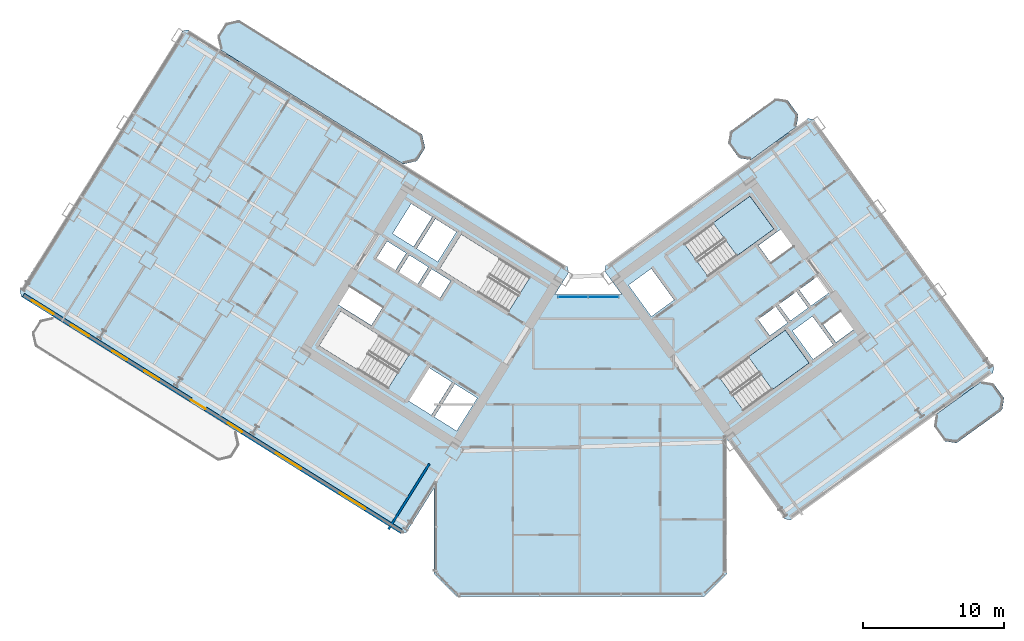
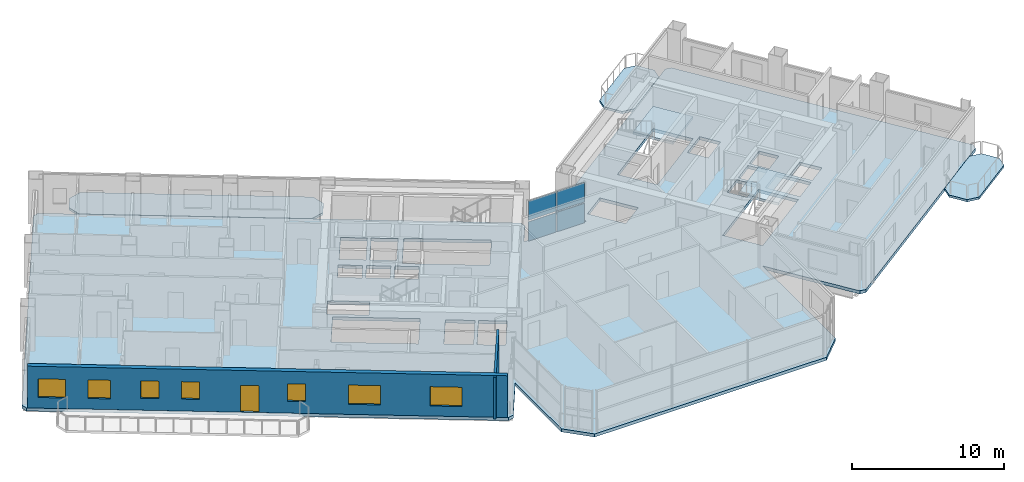
# One storey, part 14 of 28: 7 windows, 6 slabs, 4 plates, 2 walls, 1 door, 8 openings, 3 elements without a shape of their own.
"""IFC4 building model written with IfcOpenShell, lengths in metres."""

from ifc_helpers import new_model, si_unit, direction, frame, frame_2d, origin, origin_2d, place, context, subcontext, project, spatial, polyline, rectangle, outline, extrude, source, transform, mapped, material, layer, layer_set, type_object, element, fill, aggregate, save


model = new_model("IFC4")

# Units and contexts
model_context = context("Model", 3, precision=1e-05, world=origin(), true_north=direction((0.0, 1.0)))
body_context = subcontext(model_context, "Body", "Model", "MODEL_VIEW")
ifc_project = project(units=[si_unit("LENGTHUNIT", "METRE"), si_unit("AREAUNIT", "SQUARE_METRE"), si_unit("VOLUMEUNIT", "CUBIC_METRE"), si_unit("PLANEANGLEUNIT", "RADIAN"), si_unit("MASSUNIT", "GRAM", prefix="KILO")], contexts=[model_context])

# Site, building, storey
site_placement = place(None, origin())
site = spatial("IfcSite", under=ifc_project, at=site_placement, CompositionType="ELEMENT")
building_placement = place(site_placement, origin())
building = spatial("IfcBuilding", under=site, at=building_placement, Name="Tlacorven Tower", CompositionType="ELEMENT")
storey_placement = place(building_placement, frame((0.0, 0.0, 49.199951171875)))
storey = spatial("IfcBuildingStorey", under=building, at=storey_placement, Name="L12", CompositionType="ELEMENT", Elevation=49.199951171875)

# Slabs
ifc_material_1 = material(Name="Precast concrete C45/55", Category="concrete")
ifc_layer_1 = layer(ifc_material_1, 0.179931640625)
ifc_layer_set_1 = layer_set([ifc_layer_1], Name="Precast concrete C45/55")
slab_type_1 = type_object("IfcSlabType", Name="SL-BAL-180", PredefinedType="USERDEFINED", material=ifc_layer_set_1)
slab_1_placement = place(storey_placement, frame((0.0, 0.0, -0.179931640625)))
element("IfcSlab", 1, at=slab_1_placement, inside=storey, type_object=slab_type_1, Name="L12 West Wing Balcony Ribbon IN", ObjectType="BALCONY SLAB", PredefinedType="USERDEFINED", context=body_context, shape_type="SweptSolid", body=[
    extrude(outline(polyline([(30.756591796875, 34.57763671875), (17.781494140625, 42.685546875), (16.81689453125, 42.462890625), (16.236572265625, 41.5341796875), (16.459228515625, 40.569580078125), (29.434326171875, 32.4619140625), (30.39892578125, 32.6845703125), (30.979248046875, 33.613037109375), (30.756591796875, 34.57763671875)])), origin(), (0.0, 0.0, 1.0), 0.179931640625),
])
slab_2_placement = place(storey_placement, frame((0.0, 0.0, -0.179931640625)))
element("IfcSlab", 2, at=slab_2_placement, inside=storey, type_object=slab_type_1, Name="L12 East Wing Balcony Ribbon OUT", ObjectType="BALCONY SLAB", PredefinedType="USERDEFINED", context=body_context, shape_type="SweptSolid", body=[
    extrude(outline(polyline([(68.669921875, 12.678955078125), (71.906005859375, 15.0302734375), (72.03857421875, 15.8681640625), (71.27734375, 16.916015625), (70.439453125, 17.048583984375), (67.203369140625, 14.697509765625), (67.070556640625, 13.859375), (67.831787109375, 12.811767578125), (68.669921875, 12.678955078125)])), origin(), (0.0, 0.0, 1.0), 0.179931640625),
])
slab_3_placement = place(storey_placement, frame((0.0, 0.0, -0.179931640625)))
element("IfcSlab", 3, at=slab_3_placement, inside=storey, type_object=slab_type_1, Name="L12 East Wing Balcony Ribbon IN", ObjectType="BALCONY SLAB", PredefinedType="USERDEFINED", context=body_context, shape_type="SweptSolid", body=[
    extrude(outline(polyline([(54.078125, 32.762939453125), (57.314208984375, 35.114013671875), (57.44677734375, 35.9521484375), (56.685791015625, 36.999755859375), (55.84765625, 37.132568359375), (52.611572265625, 34.78125), (52.478759765625, 33.943359375), (53.239990234375, 32.8955078125), (54.078125, 32.762939453125)])), origin(), (0.0, 0.0, 1.0), 0.179931640625),
])

# Stair, slab
ifc_material_2 = material(Name="Concrete C40/50", Category="concrete")
stair_type = type_object("IfcStairType", Name="ST-CORE-DLG", PredefinedType="HALF_TURN_STAIR", material=ifc_material_2)
stair_1_placement = place(storey_placement, origin())
stair_1 = element("IfcStair", 4, at=stair_1_placement, inside=storey, type_object=stair_type, Name="L12 Protected Exit Stair East 1", PredefinedType="HALF_TURN_STAIR")
ifc_layer_2 = layer(ifc_material_2, 0.199951171875)
ifc_layer_set_2 = layer_set([ifc_layer_2], Name="Concrete C40/50")
slab_type_2 = type_object("IfcSlabType", Name="SL-LND-200", PredefinedType="LANDING", material=ifc_layer_set_2)
slab_4_placement = place(storey_placement, frame((0.0, 0.0, 1.60009765625)))
slab_4 = element("IfcSlab", 5, at=slab_4_placement, type_object=slab_type_2, Name="ST-E1 landing 1", PredefinedType="LANDING", context=body_context, shape_type="SweptSolid", body=[
    extrude(outline(polyline([(53.09765625, 25.962890625), (55.7109375, 27.861572265625), (54.01806640625, 30.19140625), (51.40478515625, 28.29296875), (53.09765625, 25.962890625)])), origin(), (0.0, 0.0, 1.0), 0.199951171875),
])
aggregate(stair_1, [slab_4])

stair_2_placement = place(storey_placement, origin())
stair_2 = element("IfcStair", 6, at=stair_2_placement, inside=storey, type_object=stair_type, Name="L12 Protected Exit Stair East 2", PredefinedType="HALF_TURN_STAIR")
slab_5_placement = place(storey_placement, frame((0.0, 0.0, 1.60009765625)))
slab_5 = element("IfcSlab", 7, at=slab_5_placement, type_object=slab_type_2, Name="ST-E2 landing 1", PredefinedType="LANDING", context=body_context, shape_type="SweptSolid", body=[
    extrude(outline(polyline([(55.601806640625, 16.4599609375), (58.21484375, 18.3583984375), (56.52197265625, 20.6884765625), (53.908935546875, 18.789794921875), (55.601806640625, 16.4599609375)])), origin(), (0.0, 0.0, 1.0), 0.199951171875),
])
aggregate(stair_2, [slab_5])

# Slab
ifc_layer_3 = layer(ifc_material_2, 0.25)
ifc_layer_set_3 = layer_set([ifc_layer_3], Name="Concrete C40/50")
slab_type_3 = type_object("IfcSlabType", Name="SL-TWR-250", PredefinedType="FLOOR", material=ifc_layer_set_3)
slab_6_placement = place(storey_placement, frame((0.0, 0.0, -0.25)))
element("IfcSlab", 8, at=slab_6_placement, inside=storey, type_object=slab_type_3, Name="L12 Boomerang Tower Floor Slab", PredefinedType="FLOOR", context=body_context, shape_type="SweptSolid", body=[
    extrude(outline(polyline([(52.39990234375, 3.39990234375), (50.800048828125, 1.800048828125), (33.199951171875, 1.800048828125), (31.60009765625, 3.39990234375), (31.60009765625, 9.470703125), (29.652587890625, 6.35400390625), (29.2392578125, 6.258544921875), (2.339111328125, 23.067626953125), (2.24365234375, 23.481201171875), (13.75341796875, 41.900634765625), (14.1669921875, 41.99609375), (41.06689453125, 25.18701171875), (41.162353515625, 24.773681640625), (40.178955078125, 23.199951171875), (44.932373046875, 23.199951171875), (43.723876953125, 24.86328125), (43.790283203125, 25.2822265625), (58.1259765625, 35.69775390625), (58.545166015625, 35.63134765625), (71.311767578125, 18.0595703125), (71.245361328125, 17.640380859375), (56.90966796875, 7.224853515625), (56.49072265625, 7.291259765625), (52.39990234375, 12.921630859375), (52.39990234375, 3.39990234375)]), holes=[polyline([(29.865478515625, 18.979736328125), (24.9892578125, 22.02685546875), (23.463134765625, 19.58447265625), (28.33935546875, 16.537353515625), (29.865478515625, 18.979736328125)]), polyline([(38.4169921875, 24.4375), (33.540771484375, 27.484375), (32.0146484375, 25.0419921875), (36.890869140625, 21.9951171875), (38.4169921875, 24.4375)]), polyline([(51.05908203125, 24.481689453125), (55.7109375, 27.861572265625), (54.01806640625, 30.19140625), (49.3662109375, 26.811767578125), (51.05908203125, 24.481689453125)]), polyline([(53.56298828125, 14.978759765625), (58.21484375, 18.3583984375), (56.52197265625, 20.6884765625), (51.8701171875, 17.30859375), (53.56298828125, 14.978759765625)]), polyline([(34.682373046875, 15.87548828125), (33.088134765625, 16.871826171875), (31.62548828125, 14.531005859375), (33.2197265625, 13.534912109375), (34.682373046875, 15.87548828125)]), polyline([(32.884521484375, 16.9990234375), (31.2392578125, 18.02685546875), (29.77685546875, 15.686279296875), (31.421875, 14.658203125), (32.884521484375, 16.9990234375)]), polyline([(47.0234375, 21.648681640625), (48.6416015625, 22.82421875), (47.019287109375, 25.05712890625), (45.401123046875, 23.881591796875), (47.0234375, 21.648681640625)]), polyline([(33.197265625, 27.65185546875), (31.704833984375, 28.58447265625), (30.3798828125, 26.46435546875), (31.87255859375, 25.53173828125), (33.197265625, 27.65185546875)]), polyline([(31.484375, 28.722412109375), (29.99169921875, 29.655029296875), (28.6669921875, 27.534912109375), (30.159423828125, 26.602294921875), (31.484375, 28.722412109375)]), polyline([(32.794921875, 24.17724609375), (31.43798828125, 25.025146484375), (30.685546875, 23.82080078125), (32.042236328125, 22.972900390625), (32.794921875, 24.17724609375)]), polyline([(31.217529296875, 25.162841796875), (29.860595703125, 26.0107421875), (29.108154296875, 24.806396484375), (30.465087890625, 23.958740234375), (31.217529296875, 25.162841796875)]), polyline([(29.64013671875, 26.1484375), (28.283203125, 26.996337890625), (27.53076171875, 25.792236328125), (28.8876953125, 24.9443359375), (29.64013671875, 26.1484375)]), polyline([(55.427734375, 20.288818359375), (56.68994140625, 21.205810546875), (55.855224609375, 22.354736328125), (54.59326171875, 21.437744140625), (55.427734375, 20.288818359375)]), polyline([(56.884033203125, 21.346923828125), (58.146240234375, 22.263916015625), (57.3115234375, 23.41259765625), (56.04931640625, 22.495849609375), (56.884033203125, 21.346923828125)]), polyline([(58.34033203125, 22.405029296875), (59.602294921875, 23.322021484375), (58.767578125, 24.470703125), (57.505615234375, 23.5537109375), (58.34033203125, 22.405029296875)]), polyline([(58.498779296875, 18.614013671875), (59.922607421875, 19.648681640625), (58.453125, 21.671142578125), (57.029296875, 20.63671875), (58.498779296875, 18.614013671875)]), polyline([(27.96142578125, 22.2919921875), (25.603759765625, 23.76513671875), (24.80908203125, 22.4931640625), (27.16650390625, 21.02001953125), (27.96142578125, 22.2919921875)]), polyline([(55.490478515625, 25.4765625), (57.092529296875, 26.640380859375), (56.210693359375, 27.85400390625), (54.60888671875, 26.690185546875), (55.490478515625, 25.4765625)]), polyline([(60.12109375, 19.817626953125), (61.38330078125, 20.734619140625), (60.45458984375, 22.012939453125), (59.192626953125, 21.095947265625), (60.12109375, 19.817626953125)])]), origin(), (0.0, 0.0, 1.0), 0.25),
])

# Curtain wall, plates
ifc_material_3 = material(Name="Dark solar low-E double glazing in aluminium frame", Category="aluminium")
curtain_wall_type = type_object("IfcCurtainWallType", Name="CW-TWR-LOW", PredefinedType="USERDEFINED", material=ifc_material_3)
curtain_wall_placement = place(storey_placement, origin())
curtain_wall = element("IfcCurtainWall", 9, at=curtain_wall_placement, inside=storey, type_object=curtain_wall_type, Name="L12 CW-TWR-LOW Curtain Wall 68", ObjectType="UNITISED CURTAIN WALL", PredefinedType="USERDEFINED")
ifc_material_4 = material(Name="Dark solar double low-E glazing", Category="glass")
ifc_layer_4 = layer(ifc_material_4, 0.031982421875)
ifc_layer_set_4 = layer_set([ifc_layer_4], Name="Dark solar double low-E glazing")
plate_type = type_object("IfcPlateType", Name="CWP-02", PredefinedType="CURTAIN_PANEL", material=ifc_layer_set_4)
shared_shape_1 = source(origin(), body_context, "Body", "SweptSolid", [
    extrude(rectangle(XDim=2.110595703125, YDim=0.031982421875, at=origin_2d()), origin(), (0.0, 0.0, 1.0), 1.552978515625),
])
plate_1_placement = place(storey_placement, frame((41.47802734375, 23.0400390625, 0.06103515625), z_axis=(0.0, 0.0, 1.0), x_axis=(1.0, 0.0, 0.0)))
plate_1 = element("IfcPlate", 10, at=plate_1_placement, type_object=plate_type, Name="CW-L12-068 Glazing Panel 1", PredefinedType="CURTAIN_PANEL", context=body_context, shape_type="MappedRepresentation", body=[
    mapped(shared_shape_1, transform((0.0, 0.0, 0.0), scale=1.0)),
])
plate_2_placement = place(storey_placement, frame((41.47802734375, 23.0400390625, 1.73583984375), z_axis=(0.0, 0.0, 1.0), x_axis=(1.0, 0.0, 0.0)))
plate_2 = element("IfcPlate", 11, at=plate_2_placement, type_object=plate_type, Name="CW-L12-068 Glazing Panel 2", PredefinedType="CURTAIN_PANEL", context=body_context, shape_type="MappedRepresentation", body=[
    mapped(shared_shape_1, transform((0.0, 0.0, 0.0), scale=1.0)),
])
plate_3_placement = place(storey_placement, frame((43.640625, 23.0400390625, 0.06103515625), z_axis=(0.0, 0.0, 1.0), x_axis=(1.0, 0.0, 0.0)))
plate_3 = element("IfcPlate", 12, at=plate_3_placement, type_object=plate_type, Name="CW-L12-068 Glazing Panel 3", PredefinedType="CURTAIN_PANEL", context=body_context, shape_type="MappedRepresentation", body=[
    mapped(shared_shape_1, transform((0.0, 0.0, 0.0), scale=1.0)),
])
plate_4_placement = place(storey_placement, frame((43.640625, 23.0400390625, 1.73583984375), z_axis=(0.0, 0.0, 1.0), x_axis=(1.0, 0.0, 0.0)))
plate_4 = element("IfcPlate", 13, at=plate_4_placement, type_object=plate_type, Name="CW-L12-068 Glazing Panel 4", PredefinedType="CURTAIN_PANEL", context=body_context, shape_type="MappedRepresentation", body=[
    mapped(shared_shape_1, transform((0.0, 0.0, 0.0), scale=1.0)),
])
aggregate(curtain_wall, [plate_1, plate_2, plate_3, plate_4])

# Wall
ifc_material_5 = material(Name="Gypsum plasterboard acoustic partition", Category="gypsum")
ifc_layer_5 = layer(ifc_material_5, 0.159912109375)
ifc_layer_set_5 = layer_set([ifc_layer_5], Name="Gypsum plasterboard acoustic partition")
wall_type_1 = type_object("IfcWallType", Name="WL-DEM-160", PredefinedType="PARTITIONING", material=ifc_layer_set_5)
wall_1_placement = place(storey_placement, frame((31.282470703125, 11.2080078125, 0.0), z_axis=(0.0, 0.0, 1.0), x_axis=(-0.529938869374, -0.84803584519, 0.0)))
element("IfcWall", 14, at=wall_1_placement, inside=storey, type_object=wall_type_1, Name="L12 WC West Throat Wall", PredefinedType="PARTITIONING", context=body_context, shape_type="SweptSolid", body=[
    extrude(rectangle(XDim=5.47998046875, YDim=0.159912109375, at=frame_2d((2.739990234375, 0.0))), origin(), (0.0, 0.0, 1.0), 3.340087890625),
])

# Wall, openings, door, windows
ifc_layer_6 = layer(ifc_material_1, 0.320068359375)
ifc_layer_set_6 = layer_set([ifc_layer_6], Name="Precast concrete C45/55")
wall_type_2 = type_object("IfcWallType", Name="WL-EXT-320", PredefinedType="STANDARD", material=ifc_layer_set_6)
wall_2_placement = place(storey_placement, frame((29.267822265625, 6.429443359375, 0.0), z_axis=(0.0, 0.0, 1.0), x_axis=(-0.848049971435, 0.529916263149, 0.0)))
wall_2 = element("IfcWall", 15, at=wall_2_placement, inside=storey, type_object=wall_type_2, Name="L12 Masonry-Frame Recessed Facade Wall 1", PredefinedType="STANDARD", context=body_context, shape_type="SweptSolid", body=[
    extrude(rectangle(XDim=31.587646484375, YDim=0.320068359375, at=frame_2d((15.7939453125, 0.0))), origin(), (0.0, 0.0, 1.0), 3.35009765625),
])
opening_1_placement = place(wall_2_placement, frame((16.36181640625, 0.0, 0.0)))
opening_1 = element("IfcOpeningElement", 16, at=opening_1_placement, cuts=wall_2, Name="Opening D05", PredefinedType="OPENING", context=body_context, shape_type="SweptSolid", body=[
    extrude(rectangle(XDim=1.199951171875, YDim=2.14990234375, at=frame_2d((0.60009765625, 1.074951171875))), frame((0.0, 0.169921875, 0.0), z_axis=(0.0, -1.0, 0.0), x_axis=(1.0, 0.0, 0.0)), (0.0, 0.0, 1.0), 0.340087890625),
])
opening_2_placement = place(wall_2_placement, frame((2.98876953125, 0.0, 0.800048828125)))
opening_2 = element("IfcOpeningElement", 17, at=opening_2_placement, cuts=wall_2, Name="Opening WN04", PredefinedType="OPENING", context=body_context, shape_type="SweptSolid", body=[
    extrude(rectangle(XDim=2.10009765625, YDim=1.550048828125, at=frame_2d((1.050048828125, 0.77490234375))), frame((0.0, 0.169921875, 0.0), z_axis=(0.0, -1.0, 0.0), x_axis=(1.0, 0.0, 0.0)), (0.0, 0.0, 1.0), 0.340087890625),
])
opening_3_placement = place(wall_2_placement, frame((8.358642578125, 0.0, 0.800048828125)))
opening_3 = element("IfcOpeningElement", 18, at=opening_3_placement, cuts=wall_2, Name="Opening WN04", PredefinedType="OPENING", context=body_context, shape_type="SweptSolid", body=[
    extrude(rectangle(XDim=2.10009765625, YDim=1.550048828125, at=frame_2d((1.050048828125, 0.77490234375))), frame((0.0, 0.169921875, 0.0), z_axis=(0.0, -1.0, 0.0), x_axis=(1.0, 0.0, 0.0)), (0.0, 0.0, 1.0), 0.340087890625),
])
opening_4_placement = place(wall_2_placement, frame((13.28369140625, 0.0, 0.949951171875)))
opening_4 = element("IfcOpeningElement", 19, at=opening_4_placement, cuts=wall_2, Name="Opening WN03", PredefinedType="OPENING", context=body_context, shape_type="SweptSolid", body=[
    extrude(rectangle(XDim=1.199951171875, YDim=1.39990234375, at=frame_2d((0.60009765625, 0.699951171875))), frame((0.0, 0.169921875, 0.0), z_axis=(0.0, -1.0, 0.0), x_axis=(1.0, 0.0, 0.0)), (0.0, 0.0, 1.0), 0.340087890625),
])
opening_5_placement = place(wall_2_placement, frame((20.2587890625, 0.0, 0.949951171875)))
opening_5 = element("IfcOpeningElement", 20, at=opening_5_placement, cuts=wall_2, Name="Opening WN03", PredefinedType="OPENING", context=body_context, shape_type="SweptSolid", body=[
    extrude(rectangle(XDim=1.199951171875, YDim=1.39990234375, at=frame_2d((0.60009765625, 0.699951171875))), frame((0.0, 0.169921875, 0.0), z_axis=(0.0, -1.0, 0.0), x_axis=(1.0, 0.0, 0.0)), (0.0, 0.0, 1.0), 0.340087890625),
])
opening_6_placement = place(wall_2_placement, frame((22.9287109375, 0.0, 0.949951171875)))
opening_6 = element("IfcOpeningElement", 21, at=opening_6_placement, cuts=wall_2, Name="Opening WN03", PredefinedType="OPENING", context=body_context, shape_type="SweptSolid", body=[
    extrude(rectangle(XDim=1.199951171875, YDim=1.39990234375, at=frame_2d((0.60009765625, 0.699951171875))), frame((0.0, 0.169921875, 0.0), z_axis=(0.0, -1.0, 0.0), x_axis=(1.0, 0.0, 0.0)), (0.0, 0.0, 1.0), 0.340087890625),
])
opening_7_placement = place(wall_2_placement, frame((26.106201171875, 0.0, 0.85009765625)))
opening_7 = element("IfcOpeningElement", 22, at=opening_7_placement, cuts=wall_2, Name="Opening WN02", PredefinedType="OPENING", context=body_context, shape_type="SweptSolid", body=[
    extrude(rectangle(XDim=1.5, YDim=1.5, at=frame_2d((0.75, 0.75))), frame((0.0, 0.169921875, 0.0), z_axis=(0.0, -1.0, 0.0), x_axis=(1.0, 0.0, 0.0)), (0.0, 0.0, 1.0), 0.340087890625),
])
opening_8_placement = place(wall_2_placement, frame((29.068115234375, 0.0, 0.85009765625)))
opening_8 = element("IfcOpeningElement", 23, at=opening_8_placement, cuts=wall_2, Name="Opening WN01", PredefinedType="OPENING", context=body_context, shape_type="SweptSolid", body=[
    extrude(rectangle(XDim=1.800048828125, YDim=1.5, at=frame_2d((0.89990234375, 0.75))), frame((0.0, 0.169921875, 0.0), z_axis=(0.0, -1.0, 0.0), x_axis=(1.0, 0.0, 0.0)), (0.0, 0.0, 1.0), 0.340087890625),
])
ifc_material_6 = material(Name="Powder-coated aluminium and timber door", Category="wood")
door_type = type_object("IfcDoorType", Name="DR-EXT-BALC-1200", OperationType="NOTDEFINED", PredefinedType="DOOR", material=ifc_material_6)
shared_shape_2 = source(origin(), body_context, "Body", "SweptSolid", [
    extrude(rectangle(XDim=1.199951171875, YDim=2.14990234375, at=frame_2d((0.60009765625, 1.074951171875))), frame((0.0, 0.02490234375, 0.0), z_axis=(0.0, -1.0, 0.0), x_axis=(1.0, 0.0, 0.0)), (0.0, 0.0, 1.0), 0.050048828125),
])
door_placement = place(opening_1_placement, origin())
door = element("IfcDoor", 24, at=door_placement, inside=storey, type_object=door_type, Name="L12 Outdoor Access Door BAL-L12-W-OUT", OperationType="SINGLE_SWING_LEFT", OverallHeight=2.14990234375, OverallWidth=1.199951171875, PredefinedType="DOOR", context=body_context, shape_type="MappedRepresentation", body=[
    mapped(shared_shape_2, transform((0.0, 0.0, 0.0), scale=1.0)),
])
fill(opening_1, door)
ifc_material_7 = material(Name="Dark solar low-E double glazing in anodised aluminium frame", Category="aluminium")
window_type_1 = type_object("IfcWindowType", Name="WN-APT-2100X1750", PartitioningType="SINGLE_PANEL", PredefinedType="WINDOW", material=ifc_material_7)
shared_shape_3 = source(origin(), body_context, "Body", "SweptSolid", [
    extrude(rectangle(XDim=2.10009765625, YDim=1.550048828125, at=frame_2d((1.050048828125, 0.77490234375))), frame((0.0, 0.030029296875, 0.0), z_axis=(0.0, -1.0, 0.0), x_axis=(1.0, 0.0, 0.0)), (0.0, 0.0, 1.0), 0.06005859375),
])
window_1_placement = place(opening_2_placement, origin())
window_1 = element("IfcWindow", 25, at=window_1_placement, inside=storey, type_object=window_type_1, Name="L12 Recessed Masonry-Frame Window L12-01.1", OverallHeight=1.550048828125, OverallWidth=2.10009765625, PartitioningType="SINGLE_PANEL", PredefinedType="WINDOW", context=body_context, shape_type="MappedRepresentation", body=[
    mapped(shared_shape_3, transform((0.0, 0.0, 0.0), scale=1.0)),
])
fill(opening_2, window_1)
window_2_placement = place(opening_3_placement, origin())
window_2 = element("IfcWindow", 26, at=window_2_placement, inside=storey, type_object=window_type_1, Name="L12 Recessed Masonry-Frame Window L12-01.2", OverallHeight=1.550048828125, OverallWidth=2.10009765625, PartitioningType="SINGLE_PANEL", PredefinedType="WINDOW", context=body_context, shape_type="MappedRepresentation", body=[
    mapped(shared_shape_3, transform((0.0, 0.0, 0.0), scale=1.0)),
])
fill(opening_3, window_2)
window_type_2 = type_object("IfcWindowType", Name="WN-APT-1200X1500", PartitioningType="SINGLE_PANEL", PredefinedType="WINDOW", material=ifc_material_7)
shared_shape_4 = source(origin(), body_context, "Body", "SweptSolid", [
    extrude(rectangle(XDim=1.199951171875, YDim=1.39990234375, at=frame_2d((0.60009765625, 0.699951171875))), frame((0.0, 0.030029296875, 0.0), z_axis=(0.0, -1.0, 0.0), x_axis=(1.0, 0.0, 0.0)), (0.0, 0.0, 1.0), 0.06005859375),
])
window_3_placement = place(opening_4_placement, origin())
window_3 = element("IfcWindow", 27, at=window_3_placement, inside=storey, type_object=window_type_2, Name="L12 Recessed Masonry-Frame Window L12-01.3", OverallHeight=1.39990234375, OverallWidth=1.199951171875, PartitioningType="SINGLE_PANEL", PredefinedType="WINDOW", context=body_context, shape_type="MappedRepresentation", body=[
    mapped(shared_shape_4, transform((0.0, 0.0, 0.0), scale=1.0)),
])
fill(opening_4, window_3)
window_4_placement = place(opening_5_placement, origin())
window_4 = element("IfcWindow", 28, at=window_4_placement, inside=storey, type_object=window_type_2, Name="L12 Recessed Masonry-Frame Window L12-01.4", OverallHeight=1.39990234375, OverallWidth=1.199951171875, PartitioningType="SINGLE_PANEL", PredefinedType="WINDOW", context=body_context, shape_type="MappedRepresentation", body=[
    mapped(shared_shape_4, transform((0.0, 0.0, 0.0), scale=1.0)),
])
fill(opening_5, window_4)
window_5_placement = place(opening_6_placement, origin())
window_5 = element("IfcWindow", 29, at=window_5_placement, inside=storey, type_object=window_type_2, Name="L12 Recessed Masonry-Frame Window L12-01.5", OverallHeight=1.39990234375, OverallWidth=1.199951171875, PartitioningType="SINGLE_PANEL", PredefinedType="WINDOW", context=body_context, shape_type="MappedRepresentation", body=[
    mapped(shared_shape_4, transform((0.0, 0.0, 0.0), scale=1.0)),
])
fill(opening_6, window_5)
window_type_3 = type_object("IfcWindowType", Name="WN-APT-1800X1650", PartitioningType="SINGLE_PANEL", PredefinedType="WINDOW", material=ifc_material_7)
shared_shape_5 = source(origin(), body_context, "Body", "SweptSolid", [
    extrude(rectangle(XDim=1.800048828125, YDim=1.5, at=frame_2d((0.89990234375, 0.75))), frame((0.0, 0.030029296875, 0.0), z_axis=(0.0, -1.0, 0.0), x_axis=(1.0, 0.0, 0.0)), (0.0, 0.0, 1.0), 0.06005859375),
])
window_6_placement = place(opening_8_placement, origin())
window_6 = element("IfcWindow", 30, at=window_6_placement, inside=storey, type_object=window_type_3, Name="L12 Recessed Masonry-Frame Window L12-01.7", OverallHeight=1.5, OverallWidth=1.800048828125, PartitioningType="SINGLE_PANEL", PredefinedType="WINDOW", context=body_context, shape_type="MappedRepresentation", body=[
    mapped(shared_shape_5, transform((0.0, 0.0, 0.0), scale=1.0)),
])
fill(opening_8, window_6)
window_type_4 = type_object("IfcWindowType", Name="WN-APT-1500X1650", PartitioningType="SINGLE_PANEL", PredefinedType="WINDOW", material=ifc_material_7)
shared_shape_6 = source(origin(), body_context, "Body", "SweptSolid", [
    extrude(rectangle(XDim=1.5, YDim=1.5, at=frame_2d((0.75, 0.75))), frame((0.0, 0.030029296875, 0.0), z_axis=(0.0, -1.0, 0.0), x_axis=(1.0, 0.0, 0.0)), (0.0, 0.0, 1.0), 0.06005859375),
])
window_7_placement = place(opening_7_placement, origin())
window_7 = element("IfcWindow", 31, at=window_7_placement, inside=storey, type_object=window_type_4, Name="L12 Recessed Masonry-Frame Window L12-01.6", OverallHeight=1.5, OverallWidth=1.5, PartitioningType="SINGLE_PANEL", PredefinedType="WINDOW", context=body_context, shape_type="MappedRepresentation", body=[
    mapped(shared_shape_6, transform((0.0, 0.0, 0.0), scale=1.0)),
])
fill(opening_7, window_7)

save(model, "model.ifc")
